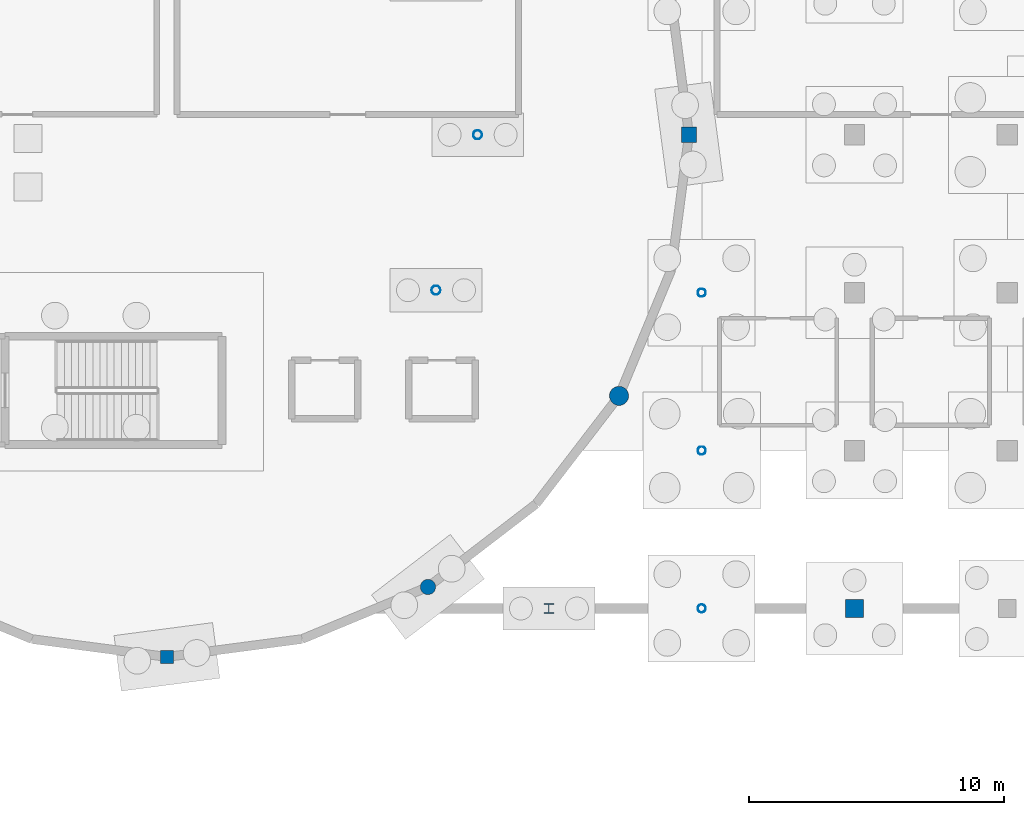
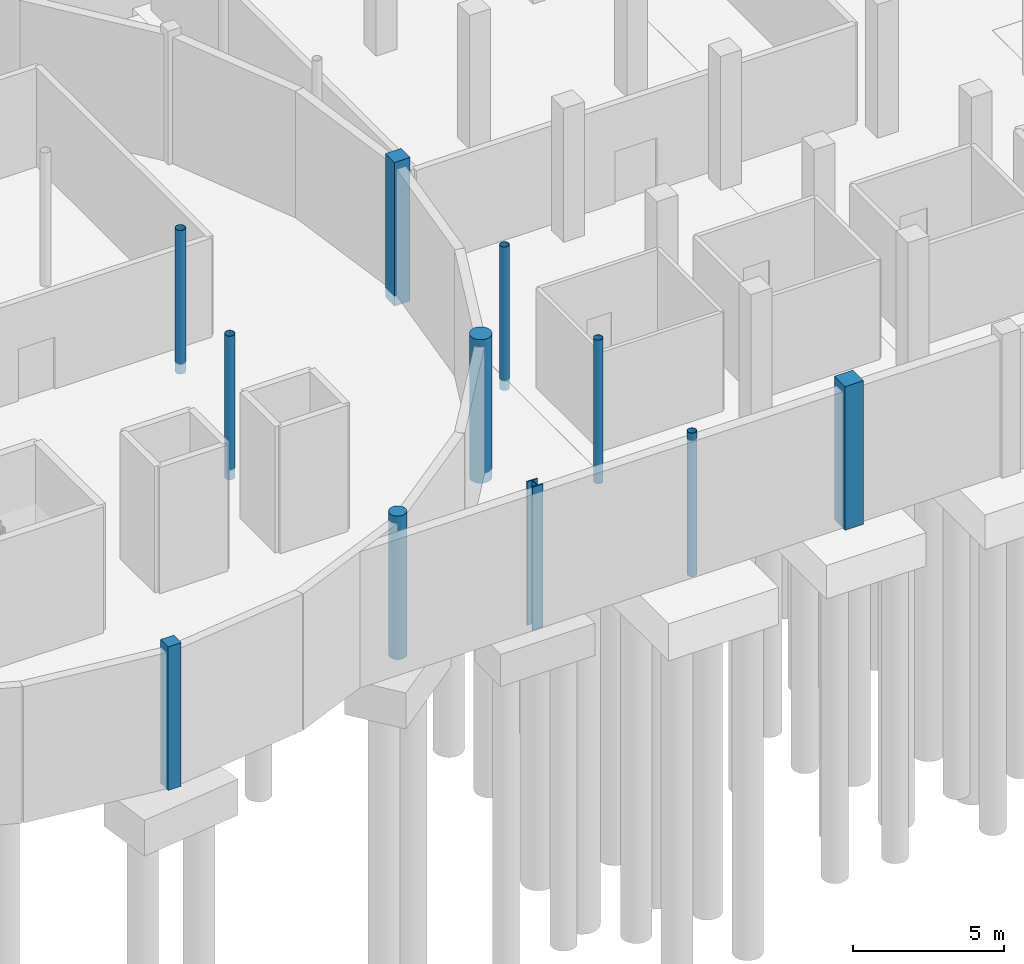
# One storey, part 7 of 19: 11 columns.
"""IFC4 building model written with IfcOpenShell, lengths in metres."""

from ifc_helpers import new_model, si_unit, direction, frame, origin, origin_2d, place, context, subcontext, project, spatial, rectangle, circle, hollow_circle, i_section, extrude, material, material_profile, profile_set, type_object, element, save


model = new_model("IFC4")

# Units and contexts
model_context = context("Model", 3, precision=1e-05, world=origin(), true_north=direction((0.0, 1.0)))
body_context = subcontext(model_context, "Body", "Model", "MODEL_VIEW")
ifc_project = project(units=[si_unit("LENGTHUNIT", "METRE"), si_unit("AREAUNIT", "SQUARE_METRE"), si_unit("VOLUMEUNIT", "CUBIC_METRE"), si_unit("PLANEANGLEUNIT", "RADIAN"), si_unit("MASSUNIT", "GRAM", prefix="KILO")], contexts=[model_context])

# Site, building, storey
site_placement = place(None, origin())
site = spatial("IfcSite", under=ifc_project, at=site_placement, CompositionType="ELEMENT")
building_placement = place(site_placement, origin())
building = spatial("IfcBuilding", under=site, at=building_placement, Name="Mirzam Square Science Centre", CompositionType="ELEMENT")
storey_placement = place(building_placement, frame((0.0, 0.0, -5.39990234375)))
storey = spatial("IfcBuildingStorey", under=building, at=storey_placement, Name="B01", CompositionType="ELEMENT", Elevation=-5.39990234375)

# Columns
ifc_material_1 = material(Name="Steel S355", Category="steel")
ifc_material_profile_1 = material_profile(ifc_material_1, hollow_circle(Radius=0.161865234375, WallThickness=0.012451171875, at=origin_2d()), Name="323.9x12.5CHS")
ifc_profile_set_1 = profile_set([ifc_material_profile_1], Name="Steel S355")
column_type_1 = type_object("IfcColumnType", Name="COL-CHS324", PredefinedType="COLUMN", material=ifc_profile_set_1)
for number, where, z_axis, x_axis, name in (
    (1, (102.0, 43.39990234375, -0.400146484375), (0.0, 0.0, 1.0), (1.0, 0.0, 0.0), "B01 column G18-08"),
    (2, (102.0, 49.60009765625, -0.400146484375), (0.0, 0.0, 1.0), (1.0, 0.0, 0.0), "B01 column G18-09"),
    (3, (102.0, 55.800048828125, -0.400146484375), (0.0, 0.0, 1.0), (1.0, 0.0, 0.0), "B01 column G18-10"),
):
    element("IfcColumn", number, at=place(storey_placement, frame(where, z_axis=z_axis, x_axis=x_axis)), inside=storey, type_object=column_type_1, Name=name, PredefinedType="COLUMN", context=body_context, shape_type="SweptSolid", body=[
        extrude(hollow_circle(Radius=0.161865234375, WallThickness=0.012451171875, at=origin_2d()), origin(), (0.0, 0.0, 1.0), 5.800048828125),
    ])
ifc_material_profile_2 = material_profile(ifc_material_1, hollow_circle(Radius=0.177734375, WallThickness=0.012451171875, at=origin_2d()), Name="355.6x12.5CHS")
ifc_profile_set_2 = profile_set([ifc_material_profile_2], Name="Steel S355")
column_type_2 = type_object("IfcColumnType", Name="COL-CHS355", PredefinedType="COLUMN", material=ifc_profile_set_2)
for number, where, z_axis, x_axis, name in (
    (4, (93.199951171875, 62.0, -0.400146484375), (0.0, 0.0, 1.0), (1.0, 0.0, 0.0), "B01 inner drum column 01"),
    (5, (91.5654296875, 55.89990234375, -0.400146484375), (0.0, 0.0, 1.0), (1.0, 0.0, 0.0), "B01 inner drum column 12"),
):
    element("IfcColumn", number, at=place(storey_placement, frame(where, z_axis=z_axis, x_axis=x_axis)), inside=storey, type_object=column_type_2, Name=name, PredefinedType="COLUMN", context=body_context, shape_type="SweptSolid", body=[
        extrude(hollow_circle(Radius=0.177734375, WallThickness=0.012451171875, at=origin_2d()), origin(), (0.0, 0.0, 1.0), 5.800048828125),
    ])
ifc_material_2 = material(Name="Concrete C45/55", Category="concrete")
ifc_material_profile_3 = material_profile(ifc_material_2, rectangle(XDim=0.699951171875, YDim=0.699951171875, at=origin_2d()), Name="RC700x700")
ifc_profile_set_3 = profile_set([ifc_material_profile_3], Name="Concrete C45/55")
column_type_3 = type_object("IfcColumnType", Name="COL-RC700", PredefinedType="COLUMN", material=ifc_profile_set_3)
column_1_placement = place(storey_placement, frame((108.0, 43.39990234375, -0.400146484375), z_axis=(0.0, 0.0, 1.0), x_axis=(1.0, 0.0, 0.0)))
element("IfcColumn", 6, at=column_1_placement, inside=storey, type_object=column_type_3, Name="B01 column G19-08", PredefinedType="COLUMN", context=body_context, shape_type="SweptSolid", body=[
    extrude(rectangle(XDim=0.699951171875, YDim=0.699951171875, at=origin_2d()), origin(), (0.0, 0.0, 1.0), 5.800048828125),
])
ifc_material_profile_4 = material_profile(ifc_material_1, i_section(OverallWidth=0.39892578125, OverallDepth=0.3935546875, WebThickness=0.022705078125, FlangeThickness=0.03662109375, FilletRadius=0.01513671875, at=origin_2d()), Name="356x406x287UC")
ifc_profile_set_4 = profile_set([ifc_material_profile_4], Name="Steel S355")
column_type_4 = type_object("IfcColumnType", Name="COL-UC356B", PredefinedType="COLUMN", material=ifc_profile_set_4)
column_2_placement = place(storey_placement, frame((96.0, 43.39990234375, -0.400146484375), z_axis=(0.0, 0.0, 1.0), x_axis=(1.0, 0.0, 0.0)))
element("IfcColumn", 7, at=column_2_placement, inside=storey, type_object=column_type_4, Name="B01 column G17-08", PredefinedType="COLUMN", context=body_context, shape_type="SweptSolid", body=[
    extrude(i_section(OverallWidth=0.39892578125, OverallDepth=0.3935546875, WebThickness=0.022705078125, FlangeThickness=0.03662109375, FilletRadius=0.01513671875, at=origin_2d()), origin(), (0.0, 0.0, 1.0), 5.800048828125),
])
ifc_material_profile_5 = material_profile(ifc_material_2, rectangle(XDim=0.5, YDim=0.5, at=origin_2d()), Name="RC500x500")
ifc_profile_set_5 = profile_set([ifc_material_profile_5], Name="Concrete C45/55")
column_type_5 = type_object("IfcColumnType", Name="PIL-RC500", PredefinedType="PILASTER", material=ifc_profile_set_5)
column_3_placement = place(storey_placement, frame((81.0, 41.5, -0.400146484375), z_axis=(0.0, 0.0, 1.0), x_axis=(1.0, 0.0, 0.0)))
element("IfcColumn", 8, at=column_3_placement, inside=storey, type_object=column_type_5, Name="B01 drum pilaster 19", PredefinedType="PILASTER", context=body_context, shape_type="SweptSolid", body=[
    extrude(rectangle(XDim=0.5, YDim=0.5, at=origin_2d()), origin(), (0.0, 0.0, 1.0), 5.800048828125),
])
ifc_material_profile_6 = material_profile(ifc_material_2, rectangle(XDim=0.60009765625, YDim=0.60009765625, at=origin_2d()), Name="RC600x600")
ifc_profile_set_6 = profile_set([ifc_material_profile_6], Name="Concrete C45/55")
column_type_6 = type_object("IfcColumnType", Name="PIL-RC600", PredefinedType="PILASTER", material=ifc_profile_set_6)
column_4_placement = place(storey_placement, frame((101.5, 62.0, -0.400146484375), z_axis=(0.0, 0.0, 1.0), x_axis=(1.0, 0.0, 0.0)))
element("IfcColumn", 9, at=column_4_placement, inside=storey, type_object=column_type_6, Name="B01 drum pilaster 01", PredefinedType="PILASTER", context=body_context, shape_type="SweptSolid", body=[
    extrude(rectangle(XDim=0.60009765625, YDim=0.60009765625, at=origin_2d()), origin(), (0.0, 0.0, 1.0), 5.800048828125),
])
ifc_material_profile_7 = material_profile(ifc_material_2, circle(Radius=0.300048828125, at=origin_2d()), Name="RCD600")
ifc_profile_set_7 = profile_set([ifc_material_profile_7], Name="Concrete C45/55")
column_type_7 = type_object("IfcColumnType", Name="PIL-RCD600", PredefinedType="PILASTER", material=ifc_profile_set_7)
column_5_placement = place(storey_placement, frame((91.25, 44.24658203125, -0.400146484375), z_axis=(0.0, 0.0, 1.0), x_axis=(1.0, 0.0, 0.0)))
element("IfcColumn", 10, at=column_5_placement, inside=storey, type_object=column_type_7, Name="B01 drum pilaster 21", PredefinedType="PILASTER", context=body_context, shape_type="SweptSolid", body=[
    extrude(circle(Radius=0.300048828125, at=origin_2d()), origin(), (0.0, 0.0, 1.0), 5.800048828125),
])
ifc_material_profile_8 = material_profile(ifc_material_2, circle(Radius=0.375, at=origin_2d()), Name="RCD750")
ifc_profile_set_8 = profile_set([ifc_material_profile_8], Name="Concrete C45/55")
column_type_8 = type_object("IfcColumnType", Name="PIL-RCD750", PredefinedType="PILASTER", material=ifc_profile_set_8)
column_6_placement = place(storey_placement, frame((98.75341796875, 51.75, -0.400146484375), z_axis=(0.0, 0.0, 1.0), x_axis=(1.0, 0.0, 0.0)))
element("IfcColumn", 11, at=column_6_placement, inside=storey, type_object=column_type_8, Name="B01 drum pilaster 23", PredefinedType="PILASTER", context=body_context, shape_type="SweptSolid", body=[
    extrude(circle(Radius=0.375, at=origin_2d()), origin(), (0.0, 0.0, 1.0), 5.800048828125),
])

save(model, "model.ifc")
